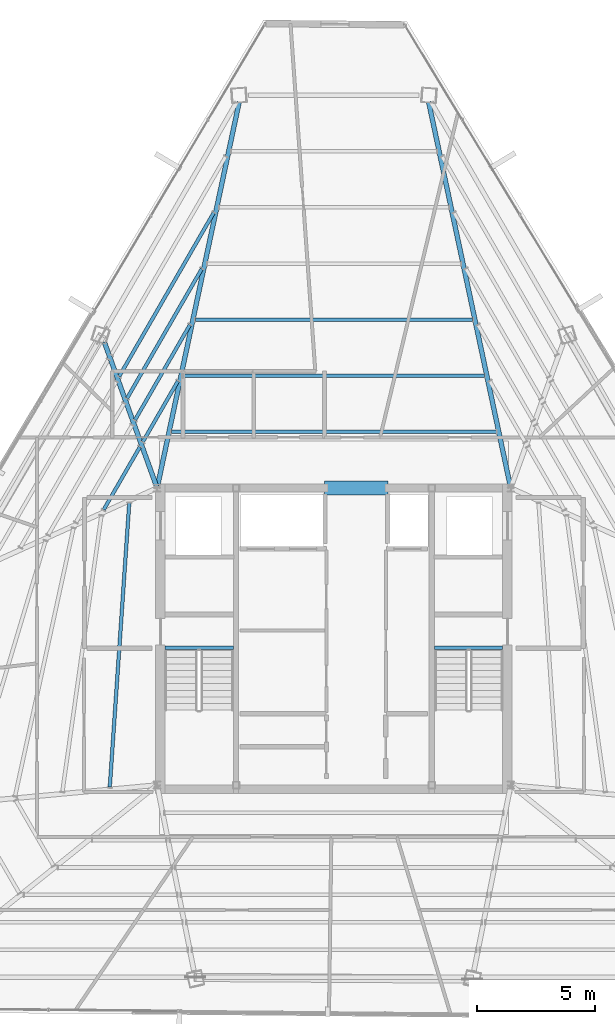
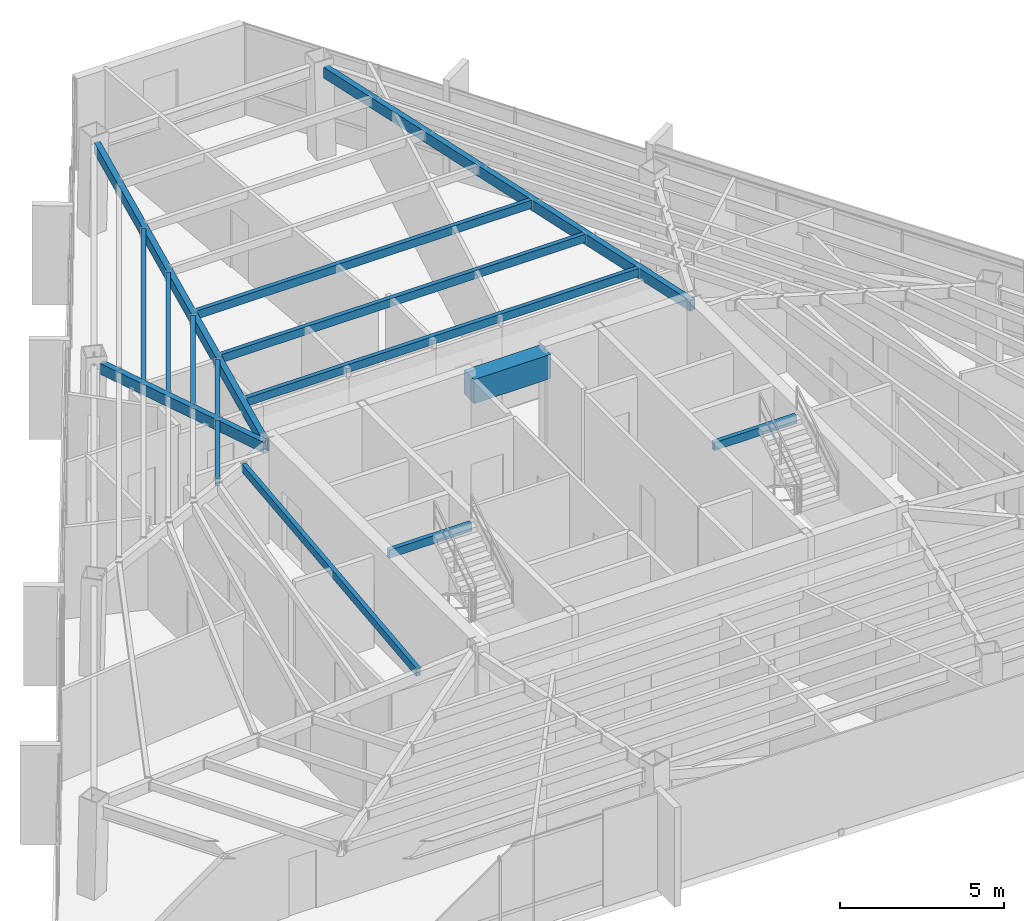
# One storey, part 20 of 47: 15 beams.
"""IFC4 building model written with IfcOpenShell, lengths in metres."""

from ifc_helpers import new_model, si_unit, direction, frame, origin, origin_2d, place, context, subcontext, project, spatial, rectangle, hollow_rectangle, extrude, source, transform, mapped, material, material_profile, profile_set, type_object, type_shapes, element, save


model = new_model("IFC4")

# Units and contexts
model_context = context("Model", 3, precision=1e-05, world=origin(), true_north=direction((0.0, 1.0)))
body_context = subcontext(model_context, "Body", "Model", "MODEL_VIEW")
ifc_project = project(units=[si_unit("LENGTHUNIT", "METRE"), si_unit("AREAUNIT", "SQUARE_METRE"), si_unit("VOLUMEUNIT", "CUBIC_METRE"), si_unit("PLANEANGLEUNIT", "RADIAN"), si_unit("MASSUNIT", "GRAM", prefix="KILO")], contexts=[model_context])

# Site, building, storey
site_placement = place(None, origin())
site = spatial("IfcSite", under=ifc_project, at=site_placement, CompositionType="ELEMENT")
building_placement = place(site_placement, origin())
building = spatial("IfcBuilding", under=site, at=building_placement, Name="Caelisora Broadcast Tower", CompositionType="ELEMENT")
storey_placement = place(building_placement, frame((0.0, 0.0, 248.10009765625)))
storey = spatial("IfcBuildingStorey", under=building, at=storey_placement, Name="L65", CompositionType="ELEMENT", Elevation=248.10009765625)

# Beams
ifc_material_1 = material(Name="Steel Grade 350 (AS/NZS 1163 C350L0)", Category="steel")
ifc_material_profile_1 = material_profile(ifc_material_1, hollow_rectangle(XDim=0.14990234375, YDim=0.300048828125, WallThickness=0.010009765625, at=origin_2d()), Name="Steel Grade 350 (AS/NZS 1163 C350L0)")
ifc_profile_set_1 = profile_set([ifc_material_profile_1], Name="Steel Grade 350 (AS/NZS 1163 C350L0)")
beam_type_1 = type_object("IfcBeamType", Name="SB05", PredefinedType="JOIST", material=ifc_profile_set_1)
shared_shape_1 = source(origin(), body_context, "Body", "SweptSolid", [
    extrude(hollow_rectangle(XDim=0.14990234375, YDim=0.300048828125, WallThickness=0.010009765625, at=origin_2d()), origin(), (0.0, 0.0, 1.0), 2.89990234375),
])
for number, where, z_axis, x_axis, name in (
    (1, (30.840087890625, 23.219970703125, 3.25), (1.0, 0.0, 0.0), (0.0, 1.0, 0.0), "L65 beam SB05"),
    (2, (42.260009765625, 23.219970703125, 3.25), (1.0, 0.0, 0.0), (0.0, 1.0, 0.0), "L65 beam SB05"),
):
    element("IfcBeam", number, at=place(storey_placement, frame(where, z_axis=z_axis, x_axis=x_axis)), inside=storey, type_object=beam_type_1, Name=name, PredefinedType="JOIST", context=body_context, shape_type="MappedRepresentation", body=[
        mapped(shared_shape_1, transform((0.0, 0.0, 0.0), scale=1.0)),
    ])
ifc_material_2 = material(Name="Concrete 50 MPa (AS 3600 S50)", Category="concrete")
ifc_material_profile_2 = material_profile(ifc_material_2, rectangle(XDim=0.60009765625, YDim=0.89990234375, at=origin_2d()), Name="Concrete 50 MPa (AS 3600 S50)")
ifc_profile_set_2 = profile_set([ifc_material_profile_2], Name="Concrete 50 MPa (AS 3600 S50)")
beam_type_2 = type_object("IfcBeamType", Name="CB02", PredefinedType="LINTEL", material=ifc_profile_set_2)
shared_shape_2 = source(origin(), body_context, "Body", "SweptSolid", [
    extrude(rectangle(XDim=0.60009765625, YDim=0.89990234375, at=origin_2d()), origin(), (0.0, 0.0, 1.0), 2.699951171875),
])
type_shapes(beam_type_2, [shared_shape_2])
beam_1_placement = place(storey_placement, frame((37.60009765625, 30.0, 2.949951171875), z_axis=(1.0, 0.0, 0.0), x_axis=(0.0, 1.0, 0.0)))
element("IfcBeam", 3, at=beam_1_placement, inside=storey, type_object=beam_type_2, Name="L65 beam CB02", PredefinedType="LINTEL", context=body_context, shape_type="MappedRepresentation", body=[
    mapped(shared_shape_2, transform((0.0, 0.0, 0.0), scale=1.0)),
])
ifc_material_profile_3 = material_profile(ifc_material_1, hollow_rectangle(XDim=0.199951171875, YDim=0.39990234375, WallThickness=0.012451171875, at=origin_2d()), Name="Steel Grade 350 (AS/NZS 1163 C350L0)")
ifc_profile_set_3 = profile_set([ifc_material_profile_3], Name="Steel Grade 350 (AS/NZS 1163 C350L0)")
beam_type_3 = type_object("IfcBeamType", Name="PG07", PredefinedType="BEAM", material=ifc_profile_set_3)
shared_shape_3 = source(origin(), body_context, "Body", "SweptSolid", [
    extrude(hollow_rectangle(XDim=0.199951171875, YDim=0.39990234375, WallThickness=0.012451171875, at=origin_2d()), origin(), (0.0, 0.0, 1.0), 16.680908203125),
])
for number, where, z_axis, x_axis, name in (
    (4, (45.487548828125, 30.05859375, 3.199951171875), (-0.207931573485, 0.978143374331, 0.0), (-0.978143374331, -0.207931573485, 0.0), "L65 beam PG07"),
    (5, (30.512451171875, 30.05859375, 3.199951171875), (0.207931573485, 0.978143374331, 0.0), (-0.978143374331, 0.207931573485, 0.0), "L65 beam PG07"),
):
    element("IfcBeam", number, at=place(storey_placement, frame(where, z_axis=z_axis, x_axis=x_axis)), inside=storey, type_object=beam_type_3, Name=name, PredefinedType="BEAM", context=body_context, shape_type="MappedRepresentation", body=[
        mapped(shared_shape_3, transform((0.0, 0.0, 0.0), scale=1.0)),
    ])
shared_shape_4 = source(origin(), body_context, "Body", "SweptSolid", [
    extrude(hollow_rectangle(XDim=0.199951171875, YDim=0.39990234375, WallThickness=0.012451171875, at=origin_2d()), origin(), (0.0, 0.0, 1.0), 6.527587890625),
])
type_shapes(beam_type_3, [shared_shape_3, shared_shape_4])
beam_2_placement = place(storey_placement, frame((30.4794921875, 30.056396484375, 3.199951171875), z_axis=(-0.339937630219, 0.940447982379, 0.0), x_axis=(-0.940447982379, -0.339937630219, 0.0)))
element("IfcBeam", 6, at=beam_2_placement, inside=storey, type_object=beam_type_3, Name="L65 beam PG07", PredefinedType="BEAM", context=body_context, shape_type="MappedRepresentation", body=[
    mapped(shared_shape_4, transform((0.0, 0.0, 0.0), scale=1.0)),
])
shared_shape_5 = source(origin(), body_context, "Body", "SweptSolid", [
    extrude(hollow_rectangle(XDim=0.14990234375, YDim=0.300048828125, WallThickness=0.010009765625, at=origin_2d()), origin(), (0.0, 0.0, 1.0), 13.78955078125),
])
beam_3_placement = place(storey_placement, frame((44.894775390625, 32.380859375, 3.25), z_axis=(-1.0, 0.0, 0.0), x_axis=(0.0, -1.0, 0.0)))
element("IfcBeam", 7, at=beam_3_placement, inside=storey, type_object=beam_type_1, Name="L65 beam SB05", PredefinedType="JOIST", context=body_context, shape_type="MappedRepresentation", body=[
    mapped(shared_shape_5, transform((0.0, 0.0, 0.0), scale=1.0)),
])
shared_shape_6 = source(origin(), body_context, "Body", "SweptSolid", [
    extrude(hollow_rectangle(XDim=0.14990234375, YDim=0.300048828125, WallThickness=0.010009765625, at=origin_2d()), origin(), (0.0, 0.0, 1.0), 12.77685546875),
])
beam_4_placement = place(storey_placement, frame((44.388427734375, 34.761962890625, 3.25), z_axis=(-1.0, 0.0, 0.0), x_axis=(0.0, -1.0, 0.0)))
element("IfcBeam", 8, at=beam_4_placement, inside=storey, type_object=beam_type_1, Name="L65 beam SB05", PredefinedType="JOIST", context=body_context, shape_type="MappedRepresentation", body=[
    mapped(shared_shape_6, transform((0.0, 0.0, 0.0), scale=1.0)),
])
shared_shape_7 = source(origin(), body_context, "Body", "SweptSolid", [
    extrude(hollow_rectangle(XDim=0.14990234375, YDim=0.300048828125, WallThickness=0.010009765625, at=origin_2d()), origin(), (0.0, 0.0, 1.0), 11.7646484375),
])
beam_5_placement = place(storey_placement, frame((43.88232421875, 37.142822265625, 3.25), z_axis=(-1.0, 0.0, 0.0), x_axis=(0.0, -1.0, 0.0)))
element("IfcBeam", 9, at=beam_5_placement, inside=storey, type_object=beam_type_1, Name="L65 beam SB05", PredefinedType="JOIST", context=body_context, shape_type="MappedRepresentation", body=[
    mapped(shared_shape_7, transform((0.0, 0.0, 0.0), scale=1.0)),
])
shared_shape_8 = source(origin(), body_context, "Body", "SweptSolid", [
    extrude(hollow_rectangle(XDim=0.14990234375, YDim=0.300048828125, WallThickness=0.010009765625, at=origin_2d()), origin(), (0.0, 0.0, 1.0), 2.974365234375),
])
beam_6_placement = place(storey_placement, frame((31.382080078125, 34.53662109375, 3.25), z_axis=(-0.499961665751, -0.866047534942, 0.0), x_axis=(0.866047534942, -0.499961665751, 0.0)))
element("IfcBeam", 10, at=beam_6_placement, inside=storey, type_object=beam_type_1, Name="L65 beam SB05", PredefinedType="JOIST", context=body_context, shape_type="MappedRepresentation", body=[
    mapped(shared_shape_8, transform((0.0, 0.0, 0.0), scale=1.0)),
])
shared_shape_9 = source(origin(), body_context, "Body", "SweptSolid", [
    extrude(hollow_rectangle(XDim=0.14990234375, YDim=0.300048828125, WallThickness=0.010009765625, at=origin_2d()), origin(), (0.0, 0.0, 1.0), 4.655029296875),
])
beam_7_placement = place(storey_placement, frame((31.88818359375, 36.91748046875, 3.25), z_axis=(-0.499969122205, -0.866043230354, 0.0), x_axis=(0.866043230354, -0.499969122205, 0.0)))
element("IfcBeam", 11, at=beam_7_placement, inside=storey, type_object=beam_type_1, Name="L65 beam SB05", PredefinedType="JOIST", context=body_context, shape_type="MappedRepresentation", body=[
    mapped(shared_shape_9, transform((0.0, 0.0, 0.0), scale=1.0)),
])
shared_shape_10 = source(origin(), body_context, "Body", "SweptSolid", [
    extrude(hollow_rectangle(XDim=0.14990234375, YDim=0.300048828125, WallThickness=0.010009765625, at=origin_2d()), origin(), (0.0, 0.0, 1.0), 6.336181640625),
])
beam_8_placement = place(storey_placement, frame((32.394287109375, 39.29833984375, 3.25), z_axis=(-0.499984838248, -0.866034157249, 0.0), x_axis=(0.866034157249, -0.499984838248, 0.0)))
element("IfcBeam", 12, at=beam_8_placement, inside=storey, type_object=beam_type_1, Name="L65 beam SB05", PredefinedType="JOIST", context=body_context, shape_type="MappedRepresentation", body=[
    mapped(shared_shape_10, transform((0.0, 0.0, 0.0), scale=1.0)),
])
shared_shape_11 = source(origin(), body_context, "Body", "SweptSolid", [
    extrude(hollow_rectangle(XDim=0.14990234375, YDim=0.300048828125, WallThickness=0.010009765625, at=origin_2d()), origin(), (0.0, 0.0, 1.0), 8.01708984375),
])
beam_9_placement = place(storey_placement, frame((32.900390625, 41.67919921875, 3.25), z_axis=(-0.499993963484, -0.866028888941, 0.0), x_axis=(0.866028888941, -0.499993963484, 0.0)))
element("IfcBeam", 13, at=beam_9_placement, inside=storey, type_object=beam_type_1, Name="L65 beam SB05", PredefinedType="JOIST", context=body_context, shape_type="MappedRepresentation", body=[
    mapped(shared_shape_11, transform((0.0, 0.0, 0.0), scale=1.0)),
])
shared_shape_12 = source(origin(), body_context, "Body", "SweptSolid", [
    extrude(hollow_rectangle(XDim=0.14990234375, YDim=0.300048828125, WallThickness=0.010009765625, at=origin_2d()), origin(), (0.0, 0.0, 1.0), 3.06591796875),
])
beam_10_placement = place(storey_placement, frame((29.767333984375, 31.739501953125, 3.25), z_axis=(-0.499984381217, -0.866034421105, 0.0), x_axis=(0.866034421105, -0.499984381217, 0.0)))
element("IfcBeam", 14, at=beam_10_placement, inside=storey, type_object=beam_type_1, Name="L65 beam SB05", PredefinedType="JOIST", context=body_context, shape_type="MappedRepresentation", body=[
    mapped(shared_shape_12, transform((0.0, 0.0, 0.0), scale=1.0)),
])
shared_shape_13 = source(origin(), body_context, "Body", "SweptSolid", [
    extrude(hollow_rectangle(XDim=0.14990234375, YDim=0.300048828125, WallThickness=0.010009765625, at=origin_2d()), origin(), (0.0, 0.0, 1.0), 12.07568359375),
])
type_shapes(beam_type_1, [shared_shape_1, shared_shape_5, shared_shape_6, shared_shape_7, shared_shape_8, shared_shape_9, shared_shape_10, shared_shape_11, shared_shape_12, shared_shape_13])
beam_11_placement = place(storey_placement, frame((29.3173828125, 29.35888671875, 3.25), z_axis=(-0.068416301487, -0.997656859692, 0.0), x_axis=(0.997656859692, -0.068416301487, 0.0)))
element("IfcBeam", 15, at=beam_11_placement, inside=storey, type_object=beam_type_1, Name="L65 beam SB05", PredefinedType="JOIST", context=body_context, shape_type="MappedRepresentation", body=[
    mapped(shared_shape_13, transform((0.0, 0.0, 0.0), scale=1.0)),
])

save(model, "model.ifc")
